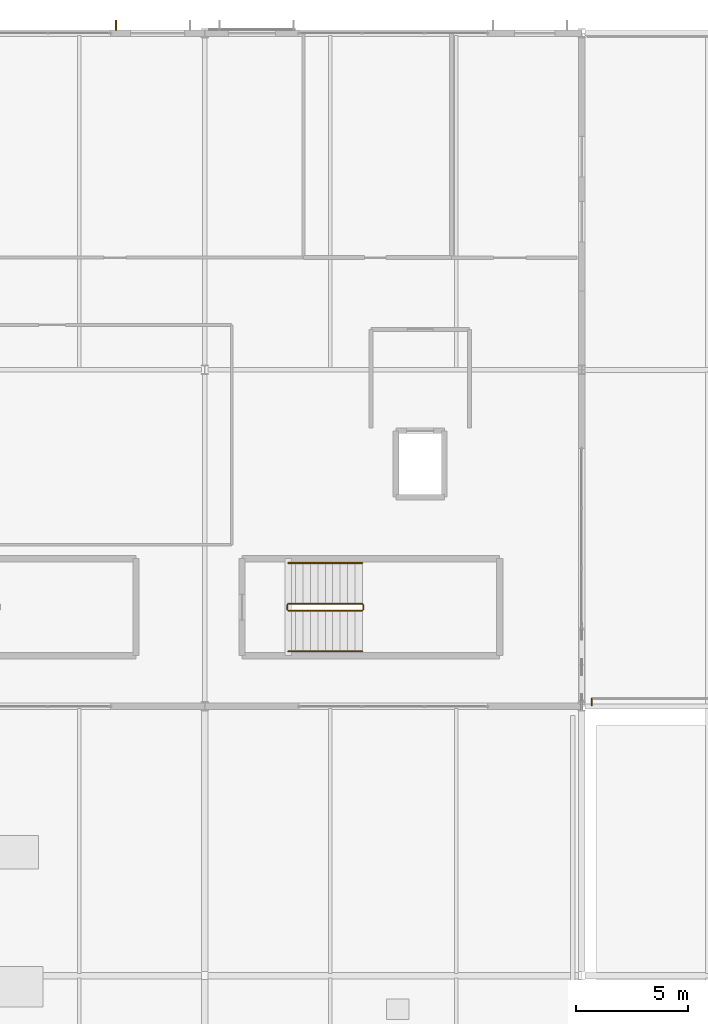
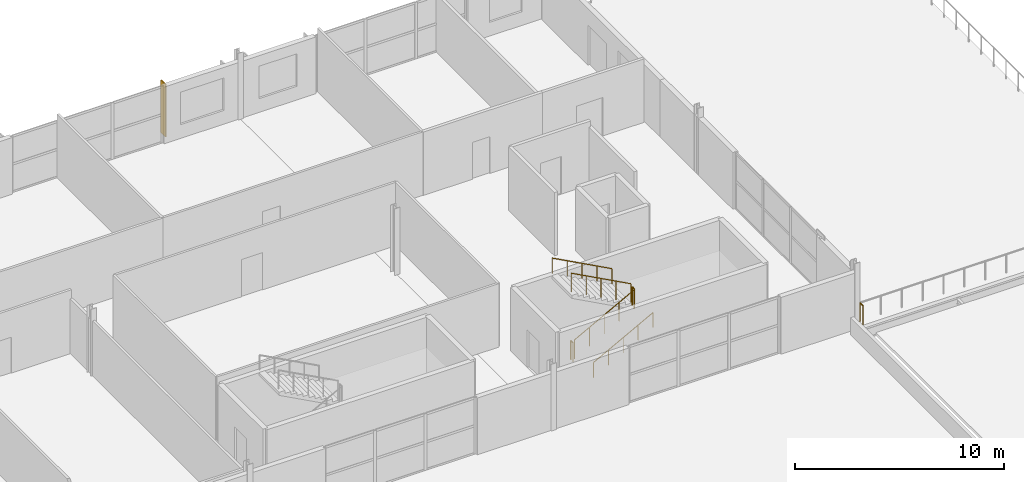
# One storey, part 35 of 36: 7 railings, 1 shading device.
"""IFC4 building model written with IfcOpenShell, lengths in metres."""

from ifc_helpers import new_model, si_unit, direction, frame, origin, origin_2d, place, context, subcontext, project, spatial, rectangle, circle, extrude, material, type_object, element, save


model = new_model("IFC4")

# Units and contexts
model_context = context("Model", 3, precision=1e-05, world=origin(), true_north=direction((0.0, 1.0)))
body_context = subcontext(model_context, "Body", "Model", "MODEL_VIEW")
ifc_project = project(units=[si_unit("LENGTHUNIT", "METRE"), si_unit("AREAUNIT", "SQUARE_METRE"), si_unit("VOLUMEUNIT", "CUBIC_METRE"), si_unit("PLANEANGLEUNIT", "RADIAN"), si_unit("MASSUNIT", "GRAM", prefix="KILO")], contexts=[model_context])

# Site, building, storey
site_placement = place(None, origin())
site = spatial("IfcSite", under=ifc_project, at=site_placement, CompositionType="ELEMENT")
building_placement = place(site_placement, origin())
building = spatial("IfcBuilding", under=site, at=building_placement, Name="Kimbaza Rail Terminus", CompositionType="ELEMENT")
storey_placement = place(building_placement, frame((0.0, 0.0, 21.0)))
storey = spatial("IfcBuildingStorey", under=building, at=storey_placement, Name="L04", CompositionType="ELEMENT", Elevation=21.0)

# Railings
ifc_material_1 = material(Name="Stainless steel and laminated glass balustrade", Category="steel")
railing_type_1 = type_object("IfcRailingType", Name="ARC-RL-GRD112", PredefinedType="GUARDRAIL", material=ifc_material_1)
railing_1_placement = place(storey_placement, frame((139.64990234375, 103.050048828125, 0.0)))
element("IfcRailing", 1, at=railing_1_placement, inside=storey, type_object=railing_type_1, Name="Safety Balustrade GRD-TER4-W", PredefinedType="GUARDRAIL", context=body_context, shape_type="SweptSolid", body=[
    extrude(circle(Radius=0.02392578125, at=origin_2d()), frame((0.0, 0.0, 1.09619140625), z_axis=(0.0, 1.0, 0.0), x_axis=(-1.0, 0.0, 0.0)), (0.0, 0.0, 1.0), 0.300048828125),
    extrude(circle(Radius=0.02099609375, at=origin_2d()), origin(), (0.0, 0.0, 1.0), 1.072021484375),
    extrude(circle(Radius=0.02099609375, at=origin_2d()), frame((0.0, 0.300048828125, 0.0)), (0.0, 0.0, 1.0), 1.072021484375),
])
ifc_material_2 = material(Name="Brushed stainless steel handrail", Category="steel")
railing_type_2 = type_object("IfcRailingType", Name="ARC-RL-HND92", PredefinedType="HANDRAIL", material=ifc_material_2)
railing_2_placement = place(storey_placement, frame((126.1201171875, 105.449951171875, 0.17724609375)))
element("IfcRailing", 2, at=railing_2_placement, inside=storey, type_object=railing_type_2, Name="L04 ST-E1 stair handrail 1", PredefinedType="HANDRAIL", context=body_context, shape_type="SweptSolid", body=[
    extrude(circle(Radius=0.02392578125, at=origin_2d()), frame((0.0, 0.0, 0.8759765625), z_axis=(0.880929018602, 0.0, 0.473248416992), x_axis=(0.0, 1.0, 0.0)), (0.0, 0.0, 1.0), 3.745849609375),
    extrude(circle(Radius=0.02099609375, at=origin_2d()), origin(), (0.0, 0.0, 1.0), 0.851806640625),
    extrude(circle(Radius=0.02099609375, at=origin_2d()), frame((0.824951171875, 0.0, 0.443115234375)), (0.0, 0.0, 1.0), 0.851806640625),
    extrude(circle(Radius=0.02099609375, at=origin_2d()), frame((1.64990234375, 0.0, 0.88623046875)), (0.0, 0.0, 1.0), 0.851806640625),
    extrude(circle(Radius=0.02099609375, at=origin_2d()), frame((2.474853515625, 0.0, 1.32958984375)), (0.0, 0.0, 1.0), 0.851806640625),
    extrude(circle(Radius=0.02099609375, at=origin_2d()), frame((3.2998046875, 0.0, 1.772705078125)), (0.0, 0.0, 1.0), 0.851806640625),
])
railing_3_placement = place(storey_placement, frame((129.419921875, 109.389892578125, 2.127197265625)))
element("IfcRailing", 3, at=railing_3_placement, inside=storey, type_object=railing_type_2, Name="L04 ST-E1 stair handrail 2", PredefinedType="HANDRAIL", context=body_context, shape_type="SweptSolid", body=[
    extrude(circle(Radius=0.02392578125, at=origin_2d()), frame((0.0, 0.0, 0.8759765625), z_axis=(-0.880929018602, 0.0, 0.473248416992), x_axis=(0.0, -1.0, 0.0)), (0.0, 0.0, 1.0), 3.745849609375),
    extrude(circle(Radius=0.02099609375, at=origin_2d()), origin(), (0.0, 0.0, 1.0), 0.851806640625),
    extrude(circle(Radius=0.02099609375, at=origin_2d()), frame((-0.824951171875, 0.0, 0.443115234375)), (0.0, 0.0, 1.0), 0.851806640625),
    extrude(circle(Radius=0.02099609375, at=origin_2d()), frame((-1.64990234375, 0.0, 0.88623046875)), (0.0, 0.0, 1.0), 0.851806640625),
    extrude(circle(Radius=0.02099609375, at=origin_2d()), frame((-2.474853515625, 0.0, 1.32958984375)), (0.0, 0.0, 1.0), 0.851806640625),
    extrude(circle(Radius=0.02099609375, at=origin_2d()), frame((-3.2998046875, 0.0, 1.772705078125)), (0.0, 0.0, 1.0), 0.851806640625),
])
ifc_material_3 = material(Name="Painted tubular steel stair well guard", Category="steel")
railing_type_3 = type_object("IfcRailingType", Name="ARC-RL-STGRD", PredefinedType="GUARDRAIL", material=ifc_material_3)
railing_4_placement = place(storey_placement, frame((126.1201171875, 107.27001953125, 0.17724609375)))
element("IfcRailing", 4, at=railing_4_placement, inside=storey, type_object=railing_type_3, Name="L04 ST-E1 stair guard 1", PredefinedType="GUARDRAIL", context=body_context, shape_type="SweptSolid", body=[
    extrude(circle(Radius=0.02392578125, at=origin_2d()), frame((0.0, 0.0, 1.09619140625), z_axis=(0.880929018602, 0.0, 0.473248416992), x_axis=(0.0, 1.0, 0.0)), (0.0, 0.0, 1.0), 3.745849609375),
    extrude(circle(Radius=0.02099609375, at=origin_2d()), origin(), (0.0, 0.0, 1.0), 1.072021484375),
    extrude(circle(Radius=0.02099609375, at=origin_2d()), frame((0.824951171875, 0.0, 0.443115234375)), (0.0, 0.0, 1.0), 1.072021484375),
    extrude(circle(Radius=0.02099609375, at=origin_2d()), frame((1.64990234375, 0.0, 0.88623046875)), (0.0, 0.0, 1.0), 1.072021484375),
    extrude(circle(Radius=0.02099609375, at=origin_2d()), frame((2.474853515625, 0.0, 1.32958984375)), (0.0, 0.0, 1.0), 1.072021484375),
    extrude(circle(Radius=0.02099609375, at=origin_2d()), frame((3.2998046875, 0.0, 1.772705078125)), (0.0, 0.0, 1.0), 1.072021484375),
])
railing_5_placement = place(storey_placement, frame((129.469970703125, 107.320068359375, 1.949951171875)))
element("IfcRailing", 5, at=railing_5_placement, inside=storey, type_object=railing_type_3, Name="L04 ST-E1 stair guard 2", PredefinedType="GUARDRAIL", context=body_context, shape_type="SweptSolid", body=[
    extrude(circle(Radius=0.02392578125, at=origin_2d()), frame((0.0, 0.0, 1.09619140625), z_axis=(0.0, 1.0, 0.0), x_axis=(-1.0, 0.0, 0.0)), (0.0, 0.0, 1.0), 0.199951171875),
    extrude(circle(Radius=0.02099609375, at=origin_2d()), origin(), (0.0, 0.0, 1.0), 1.072021484375),
    extrude(circle(Radius=0.02099609375, at=origin_2d()), frame((0.0, 0.199951171875, 0.0)), (0.0, 0.0, 1.0), 1.072021484375),
])
railing_6_placement = place(storey_placement, frame((129.419921875, 107.570068359375, 2.127197265625)))
element("IfcRailing", 6, at=railing_6_placement, inside=storey, type_object=railing_type_3, Name="L04 ST-E1 stair guard 3", PredefinedType="GUARDRAIL", context=body_context, shape_type="SweptSolid", body=[
    extrude(circle(Radius=0.02392578125, at=origin_2d()), frame((0.0, 0.0, 1.09619140625), z_axis=(-0.880929018602, 0.0, 0.473248416992), x_axis=(0.0, -1.0, 0.0)), (0.0, 0.0, 1.0), 3.745849609375),
    extrude(circle(Radius=0.02099609375, at=origin_2d()), origin(), (0.0, 0.0, 1.0), 1.072021484375),
    extrude(circle(Radius=0.02099609375, at=origin_2d()), frame((-0.824951171875, 0.0, 0.443115234375)), (0.0, 0.0, 1.0), 1.072021484375),
    extrude(circle(Radius=0.02099609375, at=origin_2d()), frame((-1.64990234375, 0.0, 0.88623046875)), (0.0, 0.0, 1.0), 1.072021484375),
    extrude(circle(Radius=0.02099609375, at=origin_2d()), frame((-2.474853515625, 0.0, 1.32958984375)), (0.0, 0.0, 1.0), 1.072021484375),
    extrude(circle(Radius=0.02099609375, at=origin_2d()), frame((-3.2998046875, 0.0, 1.772705078125)), (0.0, 0.0, 1.0), 1.072021484375),
])
railing_7_placement = place(storey_placement, frame((126.070068359375, 107.320068359375, 0.0)))
element("IfcRailing", 7, at=railing_7_placement, inside=storey, type_object=railing_type_3, Name="L04 ST-E1 stair guard 4", PredefinedType="GUARDRAIL", context=body_context, shape_type="SweptSolid", body=[
    extrude(circle(Radius=0.02392578125, at=origin_2d()), frame((0.0, 0.0, 1.09619140625), z_axis=(0.0, 1.0, 0.0), x_axis=(-1.0, 0.0, 0.0)), (0.0, 0.0, 1.0), 0.199951171875),
    extrude(circle(Radius=0.02099609375, at=origin_2d()), origin(), (0.0, 0.0, 1.0), 1.072021484375),
    extrude(circle(Radius=0.02099609375, at=origin_2d()), frame((0.0, 0.199951171875, 0.0)), (0.0, 0.0, 1.0), 1.072021484375),
])

# Shading device
ifc_material_4 = material(Name="Champagne anodised extruded aluminium", Category="aluminium")
shading_device_type = type_object("IfcShadingDeviceType", Name="ARC-SHD-FIN450", PredefinedType="USERDEFINED", material=ifc_material_4)
shading_device_placement = place(storey_placement, frame((118.449951171875, 133.363037109375, 0.150146484375), z_axis=(0.0, 0.0, 1.0), x_axis=(1.0, 0.0, 0.0)))
element("IfcShadingDevice", 8, at=shading_device_placement, inside=storey, type_object=shading_device_type, Name="North Solar Fin L04 Bay 4.3", ObjectType="BRISE SOLEIL FIN", PredefinedType="USERDEFINED", context=body_context, shape_type="SweptSolid", body=[
    extrude(rectangle(XDim=0.06494140625, YDim=0.449951171875, at=origin_2d()), origin(), (0.0, 0.0, 1.0), 3.06494140625),
])

save(model, "model.ifc")
